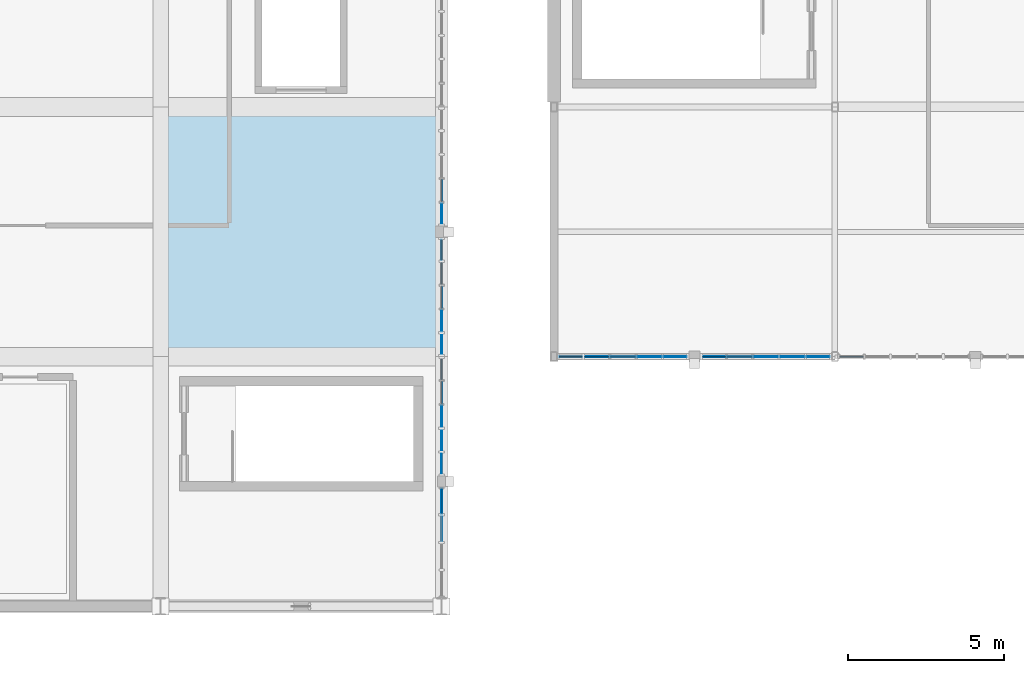
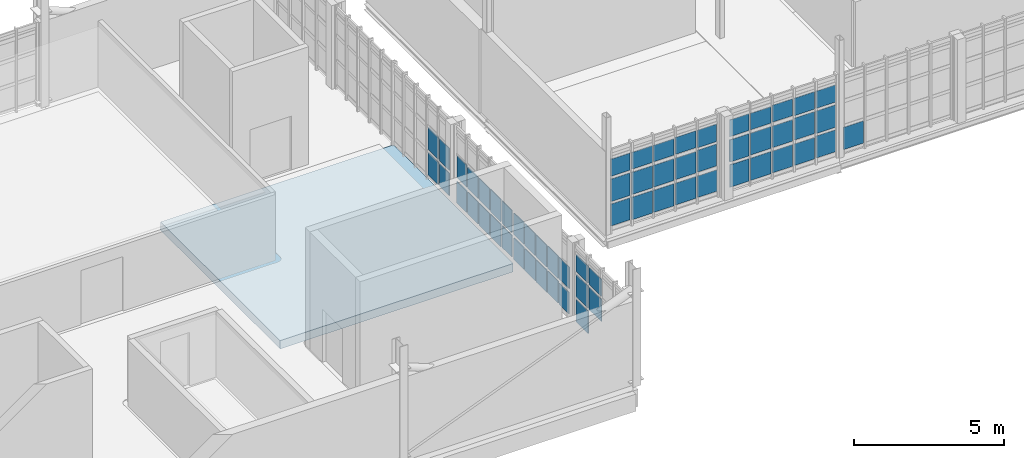
# One storey, part 90 of 128: 60 plates, 1 slab, 7 elements without a shape of their own.
"""IFC4 building model written with IfcOpenShell, lengths in metres."""

from ifc_helpers import new_model, si_unit, direction, frame, origin, origin_2d, place, context, subcontext, project, spatial, polyline, rectangle, outline, extrude, material, layer, layer_set, type_object, element, aggregate, save


model = new_model("IFC4")

# Units and contexts
model_context = context("Model", 3, precision=1e-05, world=origin(), true_north=direction((0.0, 1.0)))
body_context = subcontext(model_context, "Body", "Model", "MODEL_VIEW")
ifc_project = project(units=[si_unit("LENGTHUNIT", "METRE"), si_unit("AREAUNIT", "SQUARE_METRE"), si_unit("VOLUMEUNIT", "CUBIC_METRE"), si_unit("PLANEANGLEUNIT", "RADIAN"), si_unit("MASSUNIT", "GRAM", prefix="KILO")], contexts=[model_context])

# Site, building, storey
site_placement = place(None, origin())
site = spatial("IfcSite", under=ifc_project, at=site_placement, CompositionType="ELEMENT")
building_placement = place(site_placement, origin())
building = spatial("IfcBuilding", under=site, at=building_placement, Name="Serraforn Aerial Cableway Station", CompositionType="ELEMENT")
storey_placement = place(building_placement, frame((0.0, 0.0, 9.0)))
storey = spatial("IfcBuildingStorey", under=building, at=storey_placement, Name="L02", CompositionType="ELEMENT", Elevation=9.0)

# Curtain wall, plate
ifc_material_1 = material(Name="Anodised bronze unitised curtain wall")
curtain_wall_type_1 = type_object("IfcCurtainWallType", Name="CW-SYS-28", PredefinedType="USERDEFINED", material=ifc_material_1)
curtain_wall_1_placement = place(storey_placement, origin())
curtain_wall_1 = element("IfcCurtainWall", 1, at=curtain_wall_1_placement, inside=storey, type_object=curtain_wall_type_1, Name="Unitised Curtain Wall CW-CV-L02-E1B", ObjectType="UNITISED CURTAIN WALL", PredefinedType="USERDEFINED")
ifc_material_2 = material(Name="Solar-control low-E double glazing", Category="glass")
ifc_layer_1 = layer(ifc_material_2, 0.02587890625)
ifc_layer_set_1 = layer_set([ifc_layer_1], Name="Solar-control low-E double glazing")
plate_type_1 = type_object("IfcPlateType", Name="CW-GLZ-1", PredefinedType="CURTAIN_PANEL", material=ifc_layer_set_1)
plate_1_placement = place(storey_placement, frame((90.60009765625, 22.576904296875, 0.209716796875), z_axis=(0.0, 0.0, 1.0), x_axis=(1.0, 0.0, 0.0)))
plate_1 = element("IfcPlate", 2, at=plate_1_placement, type_object=plate_type_1, Name="Curtain Wall Panel CW-CV-L02-E1B-P1-1", PredefinedType="CURTAIN_PANEL", context=body_context, shape_type="SweptSolid", body=[
    extrude(rectangle(XDim=0.02587890625, YDim=0.66796875, at=origin_2d()), origin(), (0.0, 0.0, 1.0), 0.87255859375),
])

# Curtain wall, plates
curtain_wall_type_2 = type_object("IfcCurtainWallType", Name="CW-SYS-23", PredefinedType="USERDEFINED", material=ifc_material_1)
curtain_wall_2_placement = place(storey_placement, origin())
curtain_wall_2 = element("IfcCurtainWall", 3, at=curtain_wall_2_placement, inside=storey, type_object=curtain_wall_type_2, Name="Unitised Curtain Wall CW-EL-L02-S1A", ObjectType="UNITISED CURTAIN WALL", PredefinedType="USERDEFINED")
plate_2_placement = place(storey_placement, frame((97.252197265625, 26.0, 2.26953125), z_axis=(0.0, 0.0, 1.0), x_axis=(1.0, 0.0, 0.0)))
plate_2 = element("IfcPlate", 4, at=plate_2_placement, type_object=plate_type_1, Name="Curtain Wall Panel CW-EL-L02-S1A-P4-3", PredefinedType="CURTAIN_PANEL", context=body_context, shape_type="SweptSolid", body=[
    extrude(rectangle(XDim=0.785888671875, YDim=0.02587890625, at=origin_2d()), origin(), (0.0, 0.0, 1.0), 0.687255859375),
])
plate_3_placement = place(storey_placement, frame((98.0791015625, 26.0, 1.243408203125), z_axis=(0.0, 0.0, 1.0), x_axis=(1.0, 0.0, 0.0)))
plate_3 = element("IfcPlate", 5, at=plate_3_placement, type_object=plate_type_1, Name="Curtain Wall Panel CW-EL-L02-S1A-P5-2", PredefinedType="CURTAIN_PANEL", context=body_context, shape_type="SweptSolid", body=[
    extrude(rectangle(XDim=0.745849609375, YDim=0.02587890625, at=origin_2d()), origin(), (0.0, 0.0, 1.0), 0.892578125),
])

curtain_wall_type_3 = type_object("IfcCurtainWallType", Name="CW-SYS-24", PredefinedType="USERDEFINED", material=ifc_material_1)
curtain_wall_3_placement = place(storey_placement, origin())
curtain_wall_3 = element("IfcCurtainWall", 6, at=curtain_wall_3_placement, inside=storey, type_object=curtain_wall_type_3, Name="Unitised Curtain Wall CW-EL-L02-S1B", ObjectType="UNITISED CURTAIN WALL", PredefinedType="USERDEFINED")
plate_4_placement = place(storey_placement, frame((100.98974609375, 26.0, 2.26953125), z_axis=(0.0, 0.0, 1.0), x_axis=(1.0, 0.0, 0.0)))
plate_4 = element("IfcPlate", 7, at=plate_4_placement, type_object=plate_type_1, Name="Curtain Wall Panel CW-EL-L02-S1B-P3-3", PredefinedType="CURTAIN_PANEL", context=body_context, shape_type="SweptSolid", body=[
    extrude(rectangle(XDim=0.785888671875, YDim=0.02587890625, at=origin_2d()), origin(), (0.0, 0.0, 1.0), 0.687255859375),
])
plate_5_placement = place(storey_placement, frame((101.834228515625, 26.0, 1.243408203125), z_axis=(0.0, 0.0, 1.0), x_axis=(1.0, 0.0, 0.0)))
plate_5 = element("IfcPlate", 8, at=plate_5_placement, type_object=plate_type_1, Name="Curtain Wall Panel CW-EL-L02-S1B-P4-2", PredefinedType="CURTAIN_PANEL", context=body_context, shape_type="SweptSolid", body=[
    extrude(rectangle(XDim=0.781005859375, YDim=0.02587890625, at=origin_2d()), origin(), (0.0, 0.0, 1.0), 0.892578125),
])
plate_6_placement = place(storey_placement, frame((102.659912109375, 26.0, 0.21728515625), z_axis=(0.0, 0.0, 1.0), x_axis=(1.0, 0.0, 0.0)))
plate_6 = element("IfcPlate", 9, at=plate_6_placement, type_object=plate_type_1, Name="Curtain Wall Panel CW-EL-L02-S1B-P5-1", PredefinedType="CURTAIN_PANEL", context=body_context, shape_type="SweptSolid", body=[
    extrude(rectangle(XDim=0.73828125, YDim=0.02587890625, at=origin_2d()), origin(), (0.0, 0.0, 1.0), 0.892578125),
])

# Plate
ifc_layer_2 = layer(ifc_material_2, 0.028076171875)
ifc_layer_set_2 = layer_set([ifc_layer_2], Name="Solar-control low-E double glazing")
plate_type_2 = type_object("IfcPlateType", Name="CW-GLZ-2", PredefinedType="CURTAIN_PANEL", material=ifc_layer_set_2)
plate_7_placement = place(storey_placement, frame((90.60009765625, 22.576904296875, 1.243408203125), z_axis=(0.0, 0.0, 1.0), x_axis=(1.0, 0.0, 0.0)))
plate_7 = element("IfcPlate", 10, at=plate_7_placement, type_object=plate_type_2, Name="Curtain Wall Panel CW-CV-L02-E1B-P1-2", PredefinedType="CURTAIN_PANEL", context=body_context, shape_type="SweptSolid", body=[
    extrude(rectangle(XDim=0.028076171875, YDim=0.66796875, at=origin_2d()), origin(), (0.0, 0.0, 1.0), 0.892578125),
])

plate_8_placement = place(storey_placement, frame((90.60009765625, 23.32470703125, 0.21728515625), z_axis=(0.0, 0.0, 1.0), x_axis=(1.0, 0.0, 0.0)))
plate_8 = element("IfcPlate", 11, at=plate_8_placement, type_object=plate_type_2, Name="Curtain Wall Panel CW-CV-L02-E1B-P2-1", PredefinedType="CURTAIN_PANEL", context=body_context, shape_type="SweptSolid", body=[
    extrude(rectangle(XDim=0.028076171875, YDim=0.695556640625, at=origin_2d()), origin(), (0.0, 0.0, 1.0), 0.892578125),
])

# Curtain wall, plate
curtain_wall_type_4 = type_object("IfcCurtainWallType", Name="CW-SYS-1", PredefinedType="USERDEFINED", material=ifc_material_1)
curtain_wall_4_placement = place(storey_placement, origin())
curtain_wall_4 = element("IfcCurtainWall", 12, at=curtain_wall_4_placement, inside=storey, type_object=curtain_wall_type_4, Name="Unitised Curtain Wall CW-CV-L02-E2A", ObjectType="UNITISED CURTAIN WALL", PredefinedType="USERDEFINED")
plate_9_placement = place(storey_placement, frame((90.60009765625, 26.398193359375, 0.21728515625), z_axis=(0.0, 0.0, 1.0), x_axis=(1.0, 0.0, 0.0)))
plate_9 = element("IfcPlate", 13, at=plate_9_placement, type_object=plate_type_2, Name="Curtain Wall Panel CW-CV-L02-E2A-P1-1", PredefinedType="CURTAIN_PANEL", context=body_context, shape_type="SweptSolid", body=[
    extrude(rectangle(XDim=0.028076171875, YDim=0.660400390625, at=origin_2d()), origin(), (0.0, 0.0, 1.0), 0.892578125),
])

# Plate
plate_10_placement = place(storey_placement, frame((98.0791015625, 26.0, 2.24169921875), z_axis=(0.0, 0.0, 1.0), x_axis=(1.0, 0.0, 0.0)))
plate_10 = element("IfcPlate", 14, at=plate_10_placement, type_object=plate_type_2, Name="Curtain Wall Panel CW-EL-L02-S1A-P5-3", PredefinedType="CURTAIN_PANEL", context=body_context, shape_type="SweptSolid", body=[
    extrude(rectangle(XDim=0.745849609375, YDim=0.028076171875, at=origin_2d()), origin(), (0.0, 0.0, 1.0), 0.709716796875),
])

plate_11_placement = place(storey_placement, frame((101.834228515625, 26.0, 2.24169921875), z_axis=(0.0, 0.0, 1.0), x_axis=(1.0, 0.0, 0.0)))
plate_11 = element("IfcPlate", 15, at=plate_11_placement, type_object=plate_type_2, Name="Curtain Wall Panel CW-EL-L02-S1B-P4-3", PredefinedType="CURTAIN_PANEL", context=body_context, shape_type="SweptSolid", body=[
    extrude(rectangle(XDim=0.781005859375, YDim=0.028076171875, at=origin_2d()), origin(), (0.0, 0.0, 1.0), 0.709716796875),
])

plate_12_placement = place(storey_placement, frame((102.659912109375, 26.0, 1.2158203125), z_axis=(0.0, 0.0, 1.0), x_axis=(1.0, 0.0, 0.0)))
plate_12 = element("IfcPlate", 16, at=plate_12_placement, type_object=plate_type_2, Name="Curtain Wall Panel CW-EL-L02-S1B-P5-2", PredefinedType="CURTAIN_PANEL", context=body_context, shape_type="SweptSolid", body=[
    extrude(rectangle(XDim=0.73828125, YDim=0.028076171875, at=origin_2d()), origin(), (0.0, 0.0, 1.0), 0.9150390625),
])

# Curtain wall, plates
curtain_wall_type_5 = type_object("IfcCurtainWallType", Name="CW-SYS-27", PredefinedType="USERDEFINED", material=ifc_material_1)
curtain_wall_5_placement = place(storey_placement, origin())
curtain_wall_5 = element("IfcCurtainWall", 17, at=curtain_wall_5_placement, inside=storey, type_object=curtain_wall_type_5, Name="Unitised Curtain Wall CW-CV-L02-E1A", ObjectType="UNITISED CURTAIN WALL", PredefinedType="USERDEFINED")
ifc_layer_3 = layer(ifc_material_2, 0.030029296875)
ifc_layer_set_3 = layer_set([ifc_layer_3], Name="Solar-control low-E double glazing")
plate_type_3 = type_object("IfcPlateType", Name="CW-GLZ-3", PredefinedType="CURTAIN_PANEL", material=ifc_layer_set_3)
plate_13_placement = place(storey_placement, frame((90.60009765625, 20.488525390625, 1.2158203125), z_axis=(0.0, 0.0, 1.0), x_axis=(1.0, 0.0, 0.0)))
plate_13 = element("IfcPlate", 18, at=plate_13_placement, type_object=plate_type_3, Name="Curtain Wall Panel CW-CV-L02-E1A-P3-2", PredefinedType="CURTAIN_PANEL", context=body_context, shape_type="SweptSolid", body=[
    extrude(rectangle(XDim=0.030029296875, YDim=0.818115234375, at=origin_2d()), origin(), (0.0, 0.0, 1.0), 0.9150390625),
])
plate_14_placement = place(storey_placement, frame((90.60009765625, 21.367919921875, 0.189697265625), z_axis=(0.0, 0.0, 1.0), x_axis=(1.0, 0.0, 0.0)))
plate_14 = element("IfcPlate", 19, at=plate_14_placement, type_object=plate_type_3, Name="Curtain Wall Panel CW-CV-L02-E1A-P4-1", PredefinedType="CURTAIN_PANEL", context=body_context, shape_type="SweptSolid", body=[
    extrude(rectangle(XDim=0.030029296875, YDim=0.798095703125, at=origin_2d()), origin(), (0.0, 0.0, 1.0), 0.9150390625),
])

# Plate
plate_15_placement = place(storey_placement, frame((90.60009765625, 23.32470703125, 1.2158203125), z_axis=(0.0, 0.0, 1.0), x_axis=(1.0, 0.0, 0.0)))
plate_15 = element("IfcPlate", 20, at=plate_15_placement, type_object=plate_type_3, Name="Curtain Wall Panel CW-CV-L02-E1B-P2-2", PredefinedType="CURTAIN_PANEL", context=body_context, shape_type="SweptSolid", body=[
    extrude(rectangle(XDim=0.030029296875, YDim=0.695556640625, at=origin_2d()), origin(), (0.0, 0.0, 1.0), 0.9150390625),
])

plate_16_placement = place(storey_placement, frame((90.60009765625, 24.094970703125, 0.189697265625), z_axis=(0.0, 0.0, 1.0), x_axis=(1.0, 0.0, 0.0)))
plate_16 = element("IfcPlate", 21, at=plate_16_placement, type_object=plate_type_3, Name="Curtain Wall Panel CW-CV-L02-E1B-P3-1", PredefinedType="CURTAIN_PANEL", context=body_context, shape_type="SweptSolid", body=[
    extrude(rectangle(XDim=0.030029296875, YDim=0.702880859375, at=origin_2d()), origin(), (0.0, 0.0, 1.0), 0.9150390625),
])

plate_17_placement = place(storey_placement, frame((90.60009765625, 26.398193359375, 1.2158203125), z_axis=(0.0, 0.0, 1.0), x_axis=(1.0, 0.0, 0.0)))
plate_17 = element("IfcPlate", 22, at=plate_17_placement, type_object=plate_type_3, Name="Curtain Wall Panel CW-CV-L02-E2A-P1-2", PredefinedType="CURTAIN_PANEL", context=body_context, shape_type="SweptSolid", body=[
    extrude(rectangle(XDim=0.030029296875, YDim=0.660400390625, at=origin_2d()), origin(), (0.0, 0.0, 1.0), 0.9150390625),
])

plate_18_placement = place(storey_placement, frame((90.60009765625, 27.15087890625, 0.189697265625), z_axis=(0.0, 0.0, 1.0), x_axis=(1.0, 0.0, 0.0)))
plate_18 = element("IfcPlate", 23, at=plate_18_placement, type_object=plate_type_3, Name="Curtain Wall Panel CW-CV-L02-E2A-P2-1", PredefinedType="CURTAIN_PANEL", context=body_context, shape_type="SweptSolid", body=[
    extrude(rectangle(XDim=0.030029296875, YDim=0.702880859375, at=origin_2d()), origin(), (0.0, 0.0, 1.0), 0.9150390625),
])

# Curtain wall, plate
curtain_wall_type_6 = type_object("IfcCurtainWallType", Name="CW-SYS-2", PredefinedType="USERDEFINED", material=ifc_material_1)
curtain_wall_6_placement = place(storey_placement, origin())
curtain_wall_6 = element("IfcCurtainWall", 24, at=curtain_wall_6_placement, inside=storey, type_object=curtain_wall_type_6, Name="Unitised Curtain Wall CW-CV-L02-E2B", ObjectType="UNITISED CURTAIN WALL", PredefinedType="USERDEFINED")
plate_19_placement = place(storey_placement, frame((90.60009765625, 30.585693359375, 0.189697265625), z_axis=(0.0, 0.0, 1.0), x_axis=(1.0, 0.0, 0.0)))
plate_19 = element("IfcPlate", 25, at=plate_19_placement, type_object=plate_type_3, Name="Curtain Wall Panel CW-CV-L02-E2B-P1-1", PredefinedType="CURTAIN_PANEL", context=body_context, shape_type="SweptSolid", body=[
    extrude(rectangle(XDim=0.030029296875, YDim=0.66552734375, at=origin_2d()), origin(), (0.0, 0.0, 1.0), 0.9150390625),
])

# Plate
plate_20_placement = place(storey_placement, frame((102.659912109375, 26.0, 2.246826171875), z_axis=(0.0, 0.0, 1.0), x_axis=(1.0, 0.0, 0.0)))
plate_20 = element("IfcPlate", 26, at=plate_20_placement, type_object=plate_type_3, Name="Curtain Wall Panel CW-EL-L02-S1B-P5-3", PredefinedType="CURTAIN_PANEL", context=body_context, shape_type="SweptSolid", body=[
    extrude(rectangle(XDim=0.73828125, YDim=0.030029296875, at=origin_2d()), origin(), (0.0, 0.0, 1.0), 0.697265625),
])

ifc_layer_4 = layer(ifc_material_2, 0.031982421875)
ifc_layer_set_4 = layer_set([ifc_layer_4], Name="Solar-control low-E double glazing")
plate_type_4 = type_object("IfcPlateType", Name="CW-GLZ-4", PredefinedType="CURTAIN_PANEL", material=ifc_layer_set_4)
plate_21_placement = place(storey_placement, frame((90.60009765625, 20.488525390625, 2.246826171875), z_axis=(0.0, 0.0, 1.0), x_axis=(1.0, 0.0, 0.0)))
plate_21 = element("IfcPlate", 27, at=plate_21_placement, type_object=plate_type_4, Name="Curtain Wall Panel CW-CV-L02-E1A-P3-3", PredefinedType="CURTAIN_PANEL", context=body_context, shape_type="SweptSolid", body=[
    extrude(rectangle(XDim=0.031982421875, YDim=0.818115234375, at=origin_2d()), origin(), (0.0, 0.0, 1.0), 0.697265625),
])

plate_22_placement = place(storey_placement, frame((90.60009765625, 21.367919921875, 1.220703125), z_axis=(0.0, 0.0, 1.0), x_axis=(1.0, 0.0, 0.0)))
plate_22 = element("IfcPlate", 28, at=plate_22_placement, type_object=plate_type_4, Name="Curtain Wall Panel CW-CV-L02-E1A-P4-2", PredefinedType="CURTAIN_PANEL", context=body_context, shape_type="SweptSolid", body=[
    extrude(rectangle(XDim=0.031982421875, YDim=0.798095703125, at=origin_2d()), origin(), (0.0, 0.0, 1.0), 0.902587890625),
])

plate_23_placement = place(storey_placement, frame((90.60009765625, 24.094970703125, 1.220703125), z_axis=(0.0, 0.0, 1.0), x_axis=(1.0, 0.0, 0.0)))
plate_23 = element("IfcPlate", 29, at=plate_23_placement, type_object=plate_type_4, Name="Curtain Wall Panel CW-CV-L02-E1B-P3-2", PredefinedType="CURTAIN_PANEL", context=body_context, shape_type="SweptSolid", body=[
    extrude(rectangle(XDim=0.031982421875, YDim=0.702880859375, at=origin_2d()), origin(), (0.0, 0.0, 1.0), 0.902587890625),
])

plate_24_placement = place(storey_placement, frame((90.60009765625, 24.852783203125, 0.19482421875), z_axis=(0.0, 0.0, 1.0), x_axis=(1.0, 0.0, 0.0)))
plate_24 = element("IfcPlate", 30, at=plate_24_placement, type_object=plate_type_4, Name="Curtain Wall Panel CW-CV-L02-E1B-P4-1", PredefinedType="CURTAIN_PANEL", context=body_context, shape_type="SweptSolid", body=[
    extrude(rectangle(XDim=0.031982421875, YDim=0.71044921875, at=origin_2d()), origin(), (0.0, 0.0, 1.0), 0.902587890625),
])

plate_25_placement = place(storey_placement, frame((90.60009765625, 27.15087890625, 1.220703125), z_axis=(0.0, 0.0, 1.0), x_axis=(1.0, 0.0, 0.0)))
plate_25 = element("IfcPlate", 31, at=plate_25_placement, type_object=plate_type_4, Name="Curtain Wall Panel CW-CV-L02-E2A-P2-2", PredefinedType="CURTAIN_PANEL", context=body_context, shape_type="SweptSolid", body=[
    extrude(rectangle(XDim=0.031982421875, YDim=0.702880859375, at=origin_2d()), origin(), (0.0, 0.0, 1.0), 0.902587890625),
])

plate_26_placement = place(storey_placement, frame((90.60009765625, 27.90869140625, 0.19482421875), z_axis=(0.0, 0.0, 1.0), x_axis=(1.0, 0.0, 0.0)))
plate_26 = element("IfcPlate", 32, at=plate_26_placement, type_object=plate_type_4, Name="Curtain Wall Panel CW-CV-L02-E2A-P3-1", PredefinedType="CURTAIN_PANEL", context=body_context, shape_type="SweptSolid", body=[
    extrude(rectangle(XDim=0.031982421875, YDim=0.71044921875, at=origin_2d()), origin(), (0.0, 0.0, 1.0), 0.902587890625),
])

plate_27_placement = place(storey_placement, frame((90.60009765625, 30.585693359375, 1.220703125), z_axis=(0.0, 0.0, 1.0), x_axis=(1.0, 0.0, 0.0)))
plate_27 = element("IfcPlate", 33, at=plate_27_placement, type_object=plate_type_4, Name="Curtain Wall Panel CW-CV-L02-E2B-P1-2", PredefinedType="CURTAIN_PANEL", context=body_context, shape_type="SweptSolid", body=[
    extrude(rectangle(XDim=0.031982421875, YDim=0.66552734375, at=origin_2d()), origin(), (0.0, 0.0, 1.0), 0.902587890625),
])

plate_28_placement = place(storey_placement, frame((90.60009765625, 31.32470703125, 0.19482421875), z_axis=(0.0, 0.0, 1.0), x_axis=(1.0, 0.0, 0.0)))
plate_28 = element("IfcPlate", 34, at=plate_28_placement, type_object=plate_type_4, Name="Curtain Wall Panel CW-CV-L02-E2B-P2-1", PredefinedType="CURTAIN_PANEL", context=body_context, shape_type="SweptSolid", body=[
    extrude(rectangle(XDim=0.031982421875, YDim=0.71044921875, at=origin_2d()), origin(), (0.0, 0.0, 1.0), 0.902587890625),
])

plate_29_placement = place(storey_placement, frame((94.736572265625, 26.0, 0.21728515625), z_axis=(0.0, 0.0, 1.0), x_axis=(1.0, 0.0, 0.0)))
plate_29 = element("IfcPlate", 35, at=plate_29_placement, type_object=plate_type_4, Name="Curtain Wall Panel CW-EL-L02-S1A-P1-1", PredefinedType="CURTAIN_PANEL", context=body_context, shape_type="SweptSolid", body=[
    extrude(rectangle(XDim=0.740966796875, YDim=0.031982421875, at=origin_2d()), origin(), (0.0, 0.0, 1.0), 0.892578125),
])

ifc_layer_5 = layer(ifc_material_2, 0.033935546875)
ifc_layer_set_5 = layer_set([ifc_layer_5], Name="Solar-control low-E double glazing")
plate_type_5 = type_object("IfcPlateType", Name="CW-GLZ-5", PredefinedType="CURTAIN_PANEL", material=ifc_layer_set_5)
plate_30_placement = place(storey_placement, frame((90.60009765625, 21.367919921875, 2.25439453125), z_axis=(0.0, 0.0, 1.0), x_axis=(1.0, 0.0, 0.0)))
plate_30 = element("IfcPlate", 36, at=plate_30_placement, type_object=plate_type_5, Name="Curtain Wall Panel CW-CV-L02-E1A-P4-3", PredefinedType="CURTAIN_PANEL", context=body_context, shape_type="SweptSolid", body=[
    extrude(rectangle(XDim=0.033935546875, YDim=0.798095703125, at=origin_2d()), origin(), (0.0, 0.0, 1.0), 0.682373046875),
])

aggregate(curtain_wall_5, [plate_13, plate_21, plate_14, plate_22, plate_30])

plate_31_placement = place(storey_placement, frame((90.60009765625, 24.852783203125, 1.228515625), z_axis=(0.0, 0.0, 1.0), x_axis=(1.0, 0.0, 0.0)))
plate_31 = element("IfcPlate", 37, at=plate_31_placement, type_object=plate_type_5, Name="Curtain Wall Panel CW-CV-L02-E1B-P4-2", PredefinedType="CURTAIN_PANEL", context=body_context, shape_type="SweptSolid", body=[
    extrude(rectangle(XDim=0.033935546875, YDim=0.71044921875, at=origin_2d()), origin(), (0.0, 0.0, 1.0), 0.887451171875),
])

plate_32_placement = place(storey_placement, frame((90.60009765625, 25.6005859375, 0.2021484375), z_axis=(0.0, 0.0, 1.0), x_axis=(1.0, 0.0, 0.0)))
plate_32 = element("IfcPlate", 38, at=plate_32_placement, type_object=plate_type_5, Name="Curtain Wall Panel CW-CV-L02-E1B-P5-1", PredefinedType="CURTAIN_PANEL", context=body_context, shape_type="SweptSolid", body=[
    extrude(rectangle(XDim=0.033935546875, YDim=0.673095703125, at=origin_2d()), origin(), (0.0, 0.0, 1.0), 0.887451171875),
])

plate_33_placement = place(storey_placement, frame((90.60009765625, 27.90869140625, 1.228515625), z_axis=(0.0, 0.0, 1.0), x_axis=(1.0, 0.0, 0.0)))
plate_33 = element("IfcPlate", 39, at=plate_33_placement, type_object=plate_type_5, Name="Curtain Wall Panel CW-CV-L02-E2A-P3-2", PredefinedType="CURTAIN_PANEL", context=body_context, shape_type="SweptSolid", body=[
    extrude(rectangle(XDim=0.033935546875, YDim=0.71044921875, at=origin_2d()), origin(), (0.0, 0.0, 1.0), 0.887451171875),
])

plate_34_placement = place(storey_placement, frame((90.60009765625, 28.6728515625, 0.2021484375), z_axis=(0.0, 0.0, 1.0), x_axis=(1.0, 0.0, 0.0)))
plate_34 = element("IfcPlate", 40, at=plate_34_placement, type_object=plate_type_5, Name="Curtain Wall Panel CW-CV-L02-E2A-P4-1", PredefinedType="CURTAIN_PANEL", context=body_context, shape_type="SweptSolid", body=[
    extrude(rectangle(XDim=0.033935546875, YDim=0.70556640625, at=origin_2d()), origin(), (0.0, 0.0, 1.0), 0.887451171875),
])

plate_35_placement = place(storey_placement, frame((90.60009765625, 31.32470703125, 1.228515625), z_axis=(0.0, 0.0, 1.0), x_axis=(1.0, 0.0, 0.0)))
plate_35 = element("IfcPlate", 41, at=plate_35_placement, type_object=plate_type_5, Name="Curtain Wall Panel CW-CV-L02-E2B-P2-2", PredefinedType="CURTAIN_PANEL", context=body_context, shape_type="SweptSolid", body=[
    extrude(rectangle(XDim=0.033935546875, YDim=0.71044921875, at=origin_2d()), origin(), (0.0, 0.0, 1.0), 0.887451171875),
])

aggregate(curtain_wall_6, [plate_19, plate_27, plate_28, plate_35])

plate_36_placement = place(storey_placement, frame((94.736572265625, 26.0, 1.2158203125), z_axis=(0.0, 0.0, 1.0), x_axis=(1.0, 0.0, 0.0)))
plate_36 = element("IfcPlate", 42, at=plate_36_placement, type_object=plate_type_5, Name="Curtain Wall Panel CW-EL-L02-S1A-P1-2", PredefinedType="CURTAIN_PANEL", context=body_context, shape_type="SweptSolid", body=[
    extrude(rectangle(XDim=0.740966796875, YDim=0.033935546875, at=origin_2d()), origin(), (0.0, 0.0, 1.0), 0.9150390625),
])

plate_37_placement = place(storey_placement, frame((95.569580078125, 26.0, 0.189697265625), z_axis=(0.0, 0.0, 1.0), x_axis=(1.0, 0.0, 0.0)))
plate_37 = element("IfcPlate", 43, at=plate_37_placement, type_object=plate_type_5, Name="Curtain Wall Panel CW-EL-L02-S1A-P2-1", PredefinedType="CURTAIN_PANEL", context=body_context, shape_type="SweptSolid", body=[
    extrude(rectangle(XDim=0.783447265625, YDim=0.033935546875, at=origin_2d()), origin(), (0.0, 0.0, 1.0), 0.9150390625),
])

plate_38_placement = place(storey_placement, frame((99.325927734375, 26.0, 0.189697265625), z_axis=(0.0, 0.0, 1.0), x_axis=(1.0, 0.0, 0.0)))
plate_38 = element("IfcPlate", 44, at=plate_38_placement, type_object=plate_type_5, Name="Curtain Wall Panel CW-EL-L02-S1B-P1-1", PredefinedType="CURTAIN_PANEL", context=body_context, shape_type="SweptSolid", body=[
    extrude(rectangle(XDim=0.745849609375, YDim=0.033935546875, at=origin_2d()), origin(), (0.0, 0.0, 1.0), 0.9150390625),
])

ifc_layer_6 = layer(ifc_material_2, 0.035888671875)
ifc_layer_set_6 = layer_set([ifc_layer_6], Name="Solar-control low-E double glazing")
plate_type_6 = type_object("IfcPlateType", Name="CW-GLZ-6", PredefinedType="CURTAIN_PANEL", material=ifc_layer_set_6)
plate_39_placement = place(storey_placement, frame((90.60009765625, 25.6005859375, 1.23583984375), z_axis=(0.0, 0.0, 1.0), x_axis=(1.0, 0.0, 0.0)))
plate_39 = element("IfcPlate", 45, at=plate_39_placement, type_object=plate_type_6, Name="Curtain Wall Panel CW-CV-L02-E1B-P5-2", PredefinedType="CURTAIN_PANEL", context=body_context, shape_type="SweptSolid", body=[
    extrude(rectangle(XDim=0.035888671875, YDim=0.673095703125, at=origin_2d()), origin(), (0.0, 0.0, 1.0), 0.87255859375),
])

aggregate(curtain_wall_1, [plate_1, plate_7, plate_8, plate_15, plate_16, plate_23, plate_24, plate_31, plate_32, plate_39])

plate_40_placement = place(storey_placement, frame((90.60009765625, 28.6728515625, 1.23583984375), z_axis=(0.0, 0.0, 1.0), x_axis=(1.0, 0.0, 0.0)))
plate_40 = element("IfcPlate", 46, at=plate_40_placement, type_object=plate_type_6, Name="Curtain Wall Panel CW-CV-L02-E2A-P4-2", PredefinedType="CURTAIN_PANEL", context=body_context, shape_type="SweptSolid", body=[
    extrude(rectangle(XDim=0.035888671875, YDim=0.70556640625, at=origin_2d()), origin(), (0.0, 0.0, 1.0), 0.87255859375),
])

plate_41_placement = place(storey_placement, frame((90.60009765625, 29.419189453125, 0.209716796875), z_axis=(0.0, 0.0, 1.0), x_axis=(1.0, 0.0, 0.0)))
plate_41 = element("IfcPlate", 47, at=plate_41_placement, type_object=plate_type_6, Name="Curtain Wall Panel CW-CV-L02-E2A-P5-1", PredefinedType="CURTAIN_PANEL", context=body_context, shape_type="SweptSolid", body=[
    extrude(rectangle(XDim=0.035888671875, YDim=0.66552734375, at=origin_2d()), origin(), (0.0, 0.0, 1.0), 0.87255859375),
])

plate_42_placement = place(storey_placement, frame((94.736572265625, 26.0, 2.246826171875), z_axis=(0.0, 0.0, 1.0), x_axis=(1.0, 0.0, 0.0)))
plate_42 = element("IfcPlate", 48, at=plate_42_placement, type_object=plate_type_6, Name="Curtain Wall Panel CW-EL-L02-S1A-P1-3", PredefinedType="CURTAIN_PANEL", context=body_context, shape_type="SweptSolid", body=[
    extrude(rectangle(XDim=0.740966796875, YDim=0.035888671875, at=origin_2d()), origin(), (0.0, 0.0, 1.0), 0.697265625),
])

plate_43_placement = place(storey_placement, frame((95.569580078125, 26.0, 1.220703125), z_axis=(0.0, 0.0, 1.0), x_axis=(1.0, 0.0, 0.0)))
plate_43 = element("IfcPlate", 49, at=plate_43_placement, type_object=plate_type_6, Name="Curtain Wall Panel CW-EL-L02-S1A-P2-2", PredefinedType="CURTAIN_PANEL", context=body_context, shape_type="SweptSolid", body=[
    extrude(rectangle(XDim=0.783447265625, YDim=0.035888671875, at=origin_2d()), origin(), (0.0, 0.0, 1.0), 0.902587890625),
])

plate_44_placement = place(storey_placement, frame((96.40771484375, 26.0, 0.19482421875), z_axis=(0.0, 0.0, 1.0), x_axis=(1.0, 0.0, 0.0)))
plate_44 = element("IfcPlate", 50, at=plate_44_placement, type_object=plate_type_6, Name="Curtain Wall Panel CW-EL-L02-S1A-P3-1", PredefinedType="CURTAIN_PANEL", context=body_context, shape_type="SweptSolid", body=[
    extrude(rectangle(XDim=0.791015625, YDim=0.035888671875, at=origin_2d()), origin(), (0.0, 0.0, 1.0), 0.902587890625),
])

plate_45_placement = place(storey_placement, frame((99.325927734375, 26.0, 1.220703125), z_axis=(0.0, 0.0, 1.0), x_axis=(1.0, 0.0, 0.0)))
plate_45 = element("IfcPlate", 51, at=plate_45_placement, type_object=plate_type_6, Name="Curtain Wall Panel CW-EL-L02-S1B-P1-2", PredefinedType="CURTAIN_PANEL", context=body_context, shape_type="SweptSolid", body=[
    extrude(rectangle(XDim=0.745849609375, YDim=0.035888671875, at=origin_2d()), origin(), (0.0, 0.0, 1.0), 0.902587890625),
])

plate_46_placement = place(storey_placement, frame((100.145263671875, 26.0, 0.19482421875), z_axis=(0.0, 0.0, 1.0), x_axis=(1.0, 0.0, 0.0)))
plate_46 = element("IfcPlate", 52, at=plate_46_placement, type_object=plate_type_6, Name="Curtain Wall Panel CW-EL-L02-S1B-P2-1", PredefinedType="CURTAIN_PANEL", context=body_context, shape_type="SweptSolid", body=[
    extrude(rectangle(XDim=0.791015625, YDim=0.035888671875, at=origin_2d()), origin(), (0.0, 0.0, 1.0), 0.902587890625),
])

# Curtain wall, plate
curtain_wall_type_7 = type_object("IfcCurtainWallType", Name="CW-SYS-25", PredefinedType="USERDEFINED", material=ifc_material_1)
curtain_wall_7_placement = place(storey_placement, origin())
curtain_wall_7 = element("IfcCurtainWall", 53, at=curtain_wall_7_placement, inside=storey, type_object=curtain_wall_type_7, Name="Unitised Curtain Wall CW-EL-L02-S2A", ObjectType="UNITISED CURTAIN WALL", PredefinedType="USERDEFINED")
plate_47_placement = place(storey_placement, frame((103.732666015625, 26.0, 0.19482421875), z_axis=(0.0, 0.0, 1.0), x_axis=(1.0, 0.0, 0.0)))
plate_47 = element("IfcPlate", 54, at=plate_47_placement, type_object=plate_type_6, Name="Curtain Wall Panel CW-EL-L02-S2A-P1-1", PredefinedType="CURTAIN_PANEL", context=body_context, shape_type="SweptSolid", body=[
    extrude(rectangle(XDim=0.763427734375, YDim=0.035888671875, at=origin_2d()), origin(), (0.0, 0.0, 1.0), 0.902587890625),
])
aggregate(curtain_wall_7, [plate_47])

# Plate
ifc_layer_7 = layer(ifc_material_2, 0.029052734375)
ifc_layer_set_7 = layer_set([ifc_layer_7], Name="Solar-control low-E double glazing")
plate_type_7 = type_object("IfcPlateType", Name="CW-GLZ-7", PredefinedType="CURTAIN_PANEL", material=ifc_layer_set_7)
plate_48_placement = place(storey_placement, frame((90.60009765625, 29.419189453125, 1.243408203125), z_axis=(0.0, 0.0, 1.0), x_axis=(1.0, 0.0, 0.0)))
plate_48 = element("IfcPlate", 55, at=plate_48_placement, type_object=plate_type_7, Name="Curtain Wall Panel CW-CV-L02-E2A-P5-2", PredefinedType="CURTAIN_PANEL", context=body_context, shape_type="SweptSolid", body=[
    extrude(rectangle(XDim=0.029052734375, YDim=0.66552734375, at=origin_2d()), origin(), (0.0, 0.0, 1.0), 0.892578125),
])

aggregate(curtain_wall_4, [plate_9, plate_17, plate_18, plate_25, plate_26, plate_33, plate_34, plate_40, plate_41, plate_48])

plate_49_placement = place(storey_placement, frame((95.569580078125, 26.0, 2.25439453125), z_axis=(0.0, 0.0, 1.0), x_axis=(1.0, 0.0, 0.0)))
plate_49 = element("IfcPlate", 56, at=plate_49_placement, type_object=plate_type_7, Name="Curtain Wall Panel CW-EL-L02-S1A-P2-3", PredefinedType="CURTAIN_PANEL", context=body_context, shape_type="SweptSolid", body=[
    extrude(rectangle(XDim=0.783447265625, YDim=0.029052734375, at=origin_2d()), origin(), (0.0, 0.0, 1.0), 0.682373046875),
])

plate_50_placement = place(storey_placement, frame((96.40771484375, 26.0, 1.228515625), z_axis=(0.0, 0.0, 1.0), x_axis=(1.0, 0.0, 0.0)))
plate_50 = element("IfcPlate", 57, at=plate_50_placement, type_object=plate_type_7, Name="Curtain Wall Panel CW-EL-L02-S1A-P3-2", PredefinedType="CURTAIN_PANEL", context=body_context, shape_type="SweptSolid", body=[
    extrude(rectangle(XDim=0.791015625, YDim=0.029052734375, at=origin_2d()), origin(), (0.0, 0.0, 1.0), 0.887451171875),
])

plate_51_placement = place(storey_placement, frame((97.252197265625, 26.0, 0.2021484375), z_axis=(0.0, 0.0, 1.0), x_axis=(1.0, 0.0, 0.0)))
plate_51 = element("IfcPlate", 58, at=plate_51_placement, type_object=plate_type_7, Name="Curtain Wall Panel CW-EL-L02-S1A-P4-1", PredefinedType="CURTAIN_PANEL", context=body_context, shape_type="SweptSolid", body=[
    extrude(rectangle(XDim=0.785888671875, YDim=0.029052734375, at=origin_2d()), origin(), (0.0, 0.0, 1.0), 0.887451171875),
])

plate_52_placement = place(storey_placement, frame((99.325927734375, 26.0, 2.25439453125), z_axis=(0.0, 0.0, 1.0), x_axis=(1.0, 0.0, 0.0)))
plate_52 = element("IfcPlate", 59, at=plate_52_placement, type_object=plate_type_7, Name="Curtain Wall Panel CW-EL-L02-S1B-P1-3", PredefinedType="CURTAIN_PANEL", context=body_context, shape_type="SweptSolid", body=[
    extrude(rectangle(XDim=0.745849609375, YDim=0.029052734375, at=origin_2d()), origin(), (0.0, 0.0, 1.0), 0.682373046875),
])

plate_53_placement = place(storey_placement, frame((100.145263671875, 26.0, 1.228515625), z_axis=(0.0, 0.0, 1.0), x_axis=(1.0, 0.0, 0.0)))
plate_53 = element("IfcPlate", 60, at=plate_53_placement, type_object=plate_type_7, Name="Curtain Wall Panel CW-EL-L02-S1B-P2-2", PredefinedType="CURTAIN_PANEL", context=body_context, shape_type="SweptSolid", body=[
    extrude(rectangle(XDim=0.791015625, YDim=0.029052734375, at=origin_2d()), origin(), (0.0, 0.0, 1.0), 0.887451171875),
])

plate_54_placement = place(storey_placement, frame((100.98974609375, 26.0, 0.2021484375), z_axis=(0.0, 0.0, 1.0), x_axis=(1.0, 0.0, 0.0)))
plate_54 = element("IfcPlate", 61, at=plate_54_placement, type_object=plate_type_7, Name="Curtain Wall Panel CW-EL-L02-S1B-P3-1", PredefinedType="CURTAIN_PANEL", context=body_context, shape_type="SweptSolid", body=[
    extrude(rectangle(XDim=0.785888671875, YDim=0.029052734375, at=origin_2d()), origin(), (0.0, 0.0, 1.0), 0.887451171875),
])

ifc_layer_8 = layer(ifc_material_2, 0.031005859375)
ifc_layer_set_8 = layer_set([ifc_layer_8], Name="Solar-control low-E double glazing")
plate_type_8 = type_object("IfcPlateType", Name="CW-GLZ-8", PredefinedType="CURTAIN_PANEL", material=ifc_layer_set_8)
plate_55_placement = place(storey_placement, frame((96.40771484375, 26.0, 2.26171875), z_axis=(0.0, 0.0, 1.0), x_axis=(1.0, 0.0, 0.0)))
plate_55 = element("IfcPlate", 62, at=plate_55_placement, type_object=plate_type_8, Name="Curtain Wall Panel CW-EL-L02-S1A-P3-3", PredefinedType="CURTAIN_PANEL", context=body_context, shape_type="SweptSolid", body=[
    extrude(rectangle(XDim=0.791015625, YDim=0.031005859375, at=origin_2d()), origin(), (0.0, 0.0, 1.0), 0.667236328125),
])

plate_56_placement = place(storey_placement, frame((97.252197265625, 26.0, 1.23583984375), z_axis=(0.0, 0.0, 1.0), x_axis=(1.0, 0.0, 0.0)))
plate_56 = element("IfcPlate", 63, at=plate_56_placement, type_object=plate_type_8, Name="Curtain Wall Panel CW-EL-L02-S1A-P4-2", PredefinedType="CURTAIN_PANEL", context=body_context, shape_type="SweptSolid", body=[
    extrude(rectangle(XDim=0.785888671875, YDim=0.031005859375, at=origin_2d()), origin(), (0.0, 0.0, 1.0), 0.87255859375),
])

plate_57_placement = place(storey_placement, frame((98.0791015625, 26.0, 0.209716796875), z_axis=(0.0, 0.0, 1.0), x_axis=(1.0, 0.0, 0.0)))
plate_57 = element("IfcPlate", 64, at=plate_57_placement, type_object=plate_type_8, Name="Curtain Wall Panel CW-EL-L02-S1A-P5-1", PredefinedType="CURTAIN_PANEL", context=body_context, shape_type="SweptSolid", body=[
    extrude(rectangle(XDim=0.745849609375, YDim=0.031005859375, at=origin_2d()), origin(), (0.0, 0.0, 1.0), 0.87255859375),
])

aggregate(curtain_wall_2, [plate_29, plate_36, plate_42, plate_37, plate_43, plate_49, plate_44, plate_50, plate_55, plate_51, plate_56, plate_2, plate_57, plate_3, plate_10])

plate_58_placement = place(storey_placement, frame((100.145263671875, 26.0, 2.26171875), z_axis=(0.0, 0.0, 1.0), x_axis=(1.0, 0.0, 0.0)))
plate_58 = element("IfcPlate", 65, at=plate_58_placement, type_object=plate_type_8, Name="Curtain Wall Panel CW-EL-L02-S1B-P2-3", PredefinedType="CURTAIN_PANEL", context=body_context, shape_type="SweptSolid", body=[
    extrude(rectangle(XDim=0.791015625, YDim=0.031005859375, at=origin_2d()), origin(), (0.0, 0.0, 1.0), 0.667236328125),
])

plate_59_placement = place(storey_placement, frame((100.98974609375, 26.0, 1.23583984375), z_axis=(0.0, 0.0, 1.0), x_axis=(1.0, 0.0, 0.0)))
plate_59 = element("IfcPlate", 66, at=plate_59_placement, type_object=plate_type_8, Name="Curtain Wall Panel CW-EL-L02-S1B-P3-2", PredefinedType="CURTAIN_PANEL", context=body_context, shape_type="SweptSolid", body=[
    extrude(rectangle(XDim=0.785888671875, YDim=0.031005859375, at=origin_2d()), origin(), (0.0, 0.0, 1.0), 0.87255859375),
])

plate_60_placement = place(storey_placement, frame((101.834228515625, 26.0, 0.209716796875), z_axis=(0.0, 0.0, 1.0), x_axis=(1.0, 0.0, 0.0)))
plate_60 = element("IfcPlate", 67, at=plate_60_placement, type_object=plate_type_8, Name="Curtain Wall Panel CW-EL-L02-S1B-P4-1", PredefinedType="CURTAIN_PANEL", context=body_context, shape_type="SweptSolid", body=[
    extrude(rectangle(XDim=0.781005859375, YDim=0.031005859375, at=origin_2d()), origin(), (0.0, 0.0, 1.0), 0.87255859375),
])

aggregate(curtain_wall_3, [plate_38, plate_45, plate_52, plate_46, plate_53, plate_58, plate_54, plate_59, plate_4, plate_60, plate_5, plate_11, plate_6, plate_12, plate_20])

# Slab
ifc_material_3 = material(Name="Concrete C40/50", Category="concrete")
ifc_layer_9 = layer(ifc_material_3, 0.340087890625)
ifc_layer_set_9 = layer_set([ifc_layer_9], Name="Concrete C40/50")
slab_type = type_object("IfcSlabType", Name="SLB-FLR-340", PredefinedType="FLOOR", material=ifc_layer_set_9)
slab_placement = place(storey_placement, frame((0.0, 0.0, -0.340087890625)))
element("IfcSlab", 68, at=slab_placement, inside=storey, type_object=slab_type, Name="Floor Slab CV-L02-7-2", PredefinedType="FLOOR", context=body_context, shape_type="SweptSolid", body=[
    extrude(outline(polyline([(81.60009765625, 26.0), (90.60009765625, 26.0), (90.60009765625, 34.0), (81.60009765625, 34.0), (81.60009765625, 26.0)])), origin(), (0.0, 0.0, 1.0), 0.340087890625),
])

save(model, "model.ifc")
